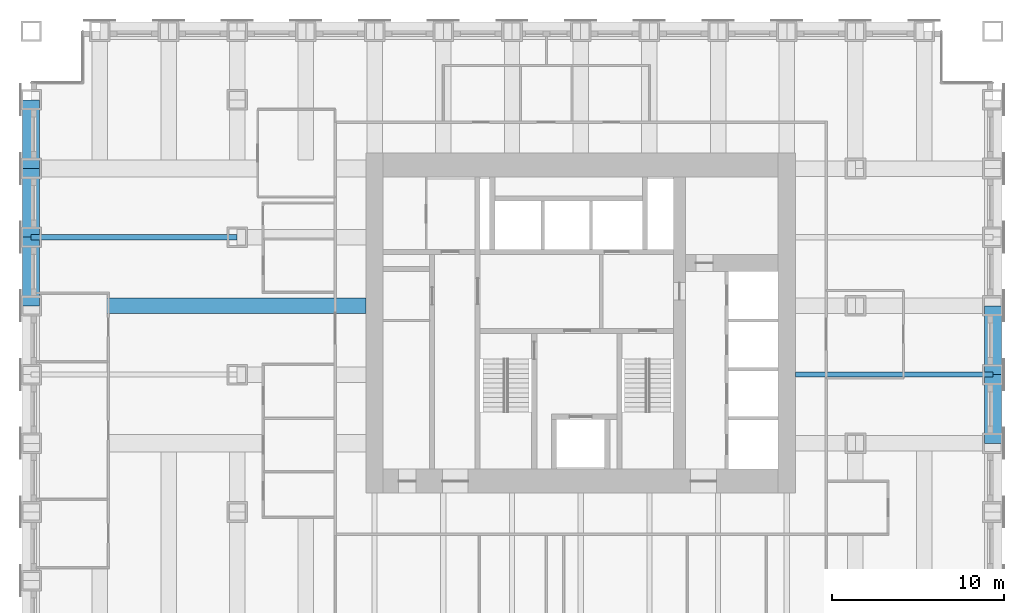
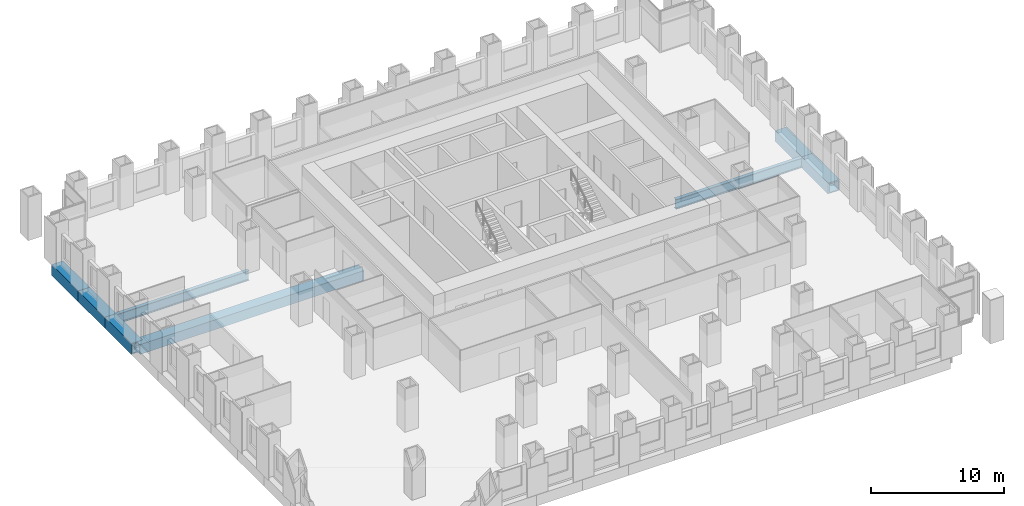
# One storey, part 5 of 15: 8 beams.
"""IFC4 building model written with IfcOpenShell, lengths in metres."""

from ifc_helpers import new_model, si_unit, direction, frame, origin, origin_2d, place, context, subcontext, project, spatial, hollow_rectangle, i_section, extrude, material, material_profile, profile_set, type_object, element, save


model = new_model("IFC4")

# Units and contexts
model_context = context("Model", 3, precision=1e-05, world=origin(), true_north=direction((0.0, 1.0)))
body_context = subcontext(model_context, "Body", "Model", "MODEL_VIEW")
ifc_project = project(units=[si_unit("LENGTHUNIT", "METRE"), si_unit("AREAUNIT", "SQUARE_METRE"), si_unit("VOLUMEUNIT", "CUBIC_METRE"), si_unit("PLANEANGLEUNIT", "RADIAN"), si_unit("MASSUNIT", "GRAM", prefix="KILO")], contexts=[model_context])

# Site, building, storey
site_placement = place(None, origin())
site = spatial("IfcSite", under=ifc_project, at=site_placement, CompositionType="ELEMENT")
building_placement = place(site_placement, origin())
building = spatial("IfcBuilding", under=site, at=building_placement, Name="Rimbunsela Tower", CompositionType="ELEMENT")
storey_placement = place(building_placement, frame((0.0, 0.0, 39.0)))
storey = spatial("IfcBuildingStorey", under=building, at=storey_placement, Name="L09", CompositionType="ELEMENT", Elevation=39.0)

# Beams
ifc_material_1 = material(Name="Steel BJ 55 (fy 410 MPa)", Category="steel")
ifc_material_profile_1 = material_profile(ifc_material_1, hollow_rectangle(XDim=1.0, YDim=1.0, WallThickness=0.10009765625, at=origin_2d()), Name="BOX 1000x1000x100")
ifc_profile_set_1 = profile_set([ifc_material_profile_1], Name="Steel BJ 55 (fy 410 MPa)")
beam_type_1 = type_object("IfcBeamType", Name="Beam BOX 1000x1000x100", PredefinedType="BEAM", material=ifc_profile_set_1)
for number, where, z_axis, x_axis, name in (
    (1, (-2.0, 28.0, -0.64990234375), (0.0, 1.0, 0.0), (-1.0, 0.0, 0.0), "Beam B3 L09"),
    (2, (-2.0, 32.0, -0.64990234375), (0.0, 1.0, 0.0), (-1.0, 0.0, 0.0), "Beam B3 L09"),
    (3, (-2.0, 36.0, -0.64990234375), (0.0, 1.0, 0.0), (-1.0, 0.0, 0.0), "Beam B3 L09"),
    (4, (54.0, 20.0, -0.64990234375), (0.0, 1.0, 0.0), (-1.0, 0.0, 0.0), "Beam B3 L09"),
    (5, (54.0, 24.0, -0.64990234375), (0.0, 1.0, 0.0), (-1.0, 0.0, 0.0), "Beam B3 L09"),
):
    element("IfcBeam", number, at=place(storey_placement, frame(where, z_axis=z_axis, x_axis=x_axis)), inside=storey, type_object=beam_type_1, Name=name, PredefinedType="BEAM", context=body_context, shape_type="SweptSolid", body=[
        extrude(hollow_rectangle(XDim=1.0, YDim=1.0, WallThickness=0.10009765625, at=origin_2d()), origin(), (0.0, 0.0, 1.0), 4.0),
    ])
ifc_material_2 = material(Name="Steel BJ 55 (fy 410 MPa)", Category="steel")
ifc_material_profile_2 = material_profile(ifc_material_2, hollow_rectangle(XDim=0.89990234375, YDim=0.89990234375, WallThickness=0.06005859375, at=origin_2d()), Name="BOX 900x900x60")
ifc_profile_set_2 = profile_set([ifc_material_profile_2], Name="Steel BJ 55 (fy 410 MPa)")
beam_type_2 = type_object("IfcBeamType", Name="Beam BOX 900x900x60", PredefinedType="BEAM", material=ifc_profile_set_2)
beam_1_placement = place(storey_placement, frame((-2.0, 28.0, -0.60009765625), z_axis=(1.0, 0.0, 0.0), x_axis=(0.0, 1.0, 0.0)))
element("IfcBeam", 6, at=beam_1_placement, inside=storey, type_object=beam_type_2, Name="Beam B1 L09", PredefinedType="BEAM", context=body_context, shape_type="SweptSolid", body=[
    extrude(hollow_rectangle(XDim=0.89990234375, YDim=0.89990234375, WallThickness=0.06005859375, at=origin_2d()), origin(), (0.0, 0.0, 1.0), 19.5),
])
ifc_material_3 = material(Name="Steel BJ 55 (fy 410 MPa)", Category="steel")
ifc_material_profile_3 = material_profile(ifc_material_3, i_section(OverallWidth=0.300048828125, OverallDepth=0.89990234375, WebThickness=0.01611328125, FlangeThickness=0.028076171875, FilletRadius=0.028076171875, at=origin_2d()), Name="H 900x300x16x28")
ifc_profile_set_3 = profile_set([ifc_material_profile_3], Name="Steel BJ 55 (fy 410 MPa)")
beam_type_3 = type_object("IfcBeamType", Name="Beam H 900x300x16x28", PredefinedType="BEAM", material=ifc_profile_set_3)
beam_2_placement = place(storey_placement, frame((-2.0, 32.0, -0.60009765625), z_axis=(1.0, 0.0, 0.0), x_axis=(0.0, 1.0, 0.0)))
element("IfcBeam", 7, at=beam_2_placement, inside=storey, type_object=beam_type_3, Name="Beam B2 L09", PredefinedType="BEAM", context=body_context, shape_type="SweptSolid", body=[
    extrude(i_section(OverallWidth=0.300048828125, OverallDepth=0.89990234375, WebThickness=0.01611328125, FlangeThickness=0.028076171875, FilletRadius=0.028076171875, at=origin_2d()), origin(), (0.0, 0.0, 1.0), 12.0),
])
beam_3_placement = place(storey_placement, frame((42.5, 24.0, -0.60009765625), z_axis=(1.0, 0.0, 0.0), x_axis=(0.0, 1.0, 0.0)))
element("IfcBeam", 8, at=beam_3_placement, inside=storey, type_object=beam_type_3, Name="Beam B2 L09", PredefinedType="BEAM", context=body_context, shape_type="SweptSolid", body=[
    extrude(i_section(OverallWidth=0.300048828125, OverallDepth=0.89990234375, WebThickness=0.01611328125, FlangeThickness=0.028076171875, FilletRadius=0.028076171875, at=origin_2d()), origin(), (0.0, 0.0, 1.0), 11.5),
])

save(model, "model.ifc")
